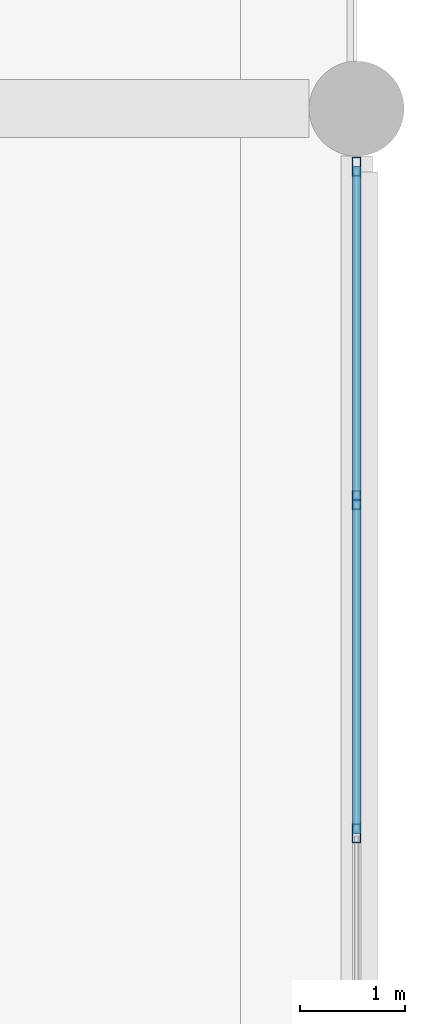
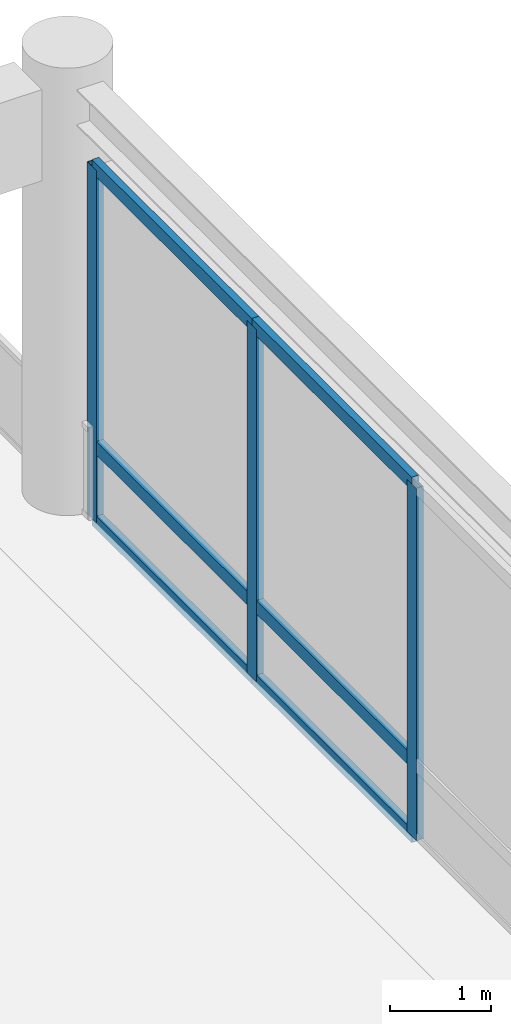
# One storey, part 70 of 117: 9 members, 1 element without a shape of its own.
"""IFC4 building model written with IfcOpenShell, lengths in metres."""

from ifc_helpers import new_model, si_unit, direction, frame, origin, origin_2d, place, context, subcontext, project, spatial, hollow_rectangle, extrude, material, material_profile, profile_set, type_object, element, aggregate, save


model = new_model("IFC4")

# Units and contexts
model_context = context("Model", 3, precision=1e-05, world=origin(), true_north=direction((0.0, 1.0)))
body_context = subcontext(model_context, "Body", "Model", "MODEL_VIEW")
ifc_project = project(units=[si_unit("LENGTHUNIT", "METRE"), si_unit("AREAUNIT", "SQUARE_METRE"), si_unit("VOLUMEUNIT", "CUBIC_METRE"), si_unit("PLANEANGLEUNIT", "RADIAN"), si_unit("MASSUNIT", "GRAM", prefix="KILO")], contexts=[model_context])

# Site, building, storey
site_placement = place(None, origin())
site = spatial("IfcSite", under=ifc_project, at=site_placement, CompositionType="ELEMENT")
building_placement = place(site_placement, origin())
building = spatial("IfcBuilding", under=site, at=building_placement, Name="Linyun Crest Stadium", CompositionType="ELEMENT")
storey_placement = place(building_placement, frame((0.0, 0.0, 6.0)))
storey = spatial("IfcBuildingStorey", under=building, at=storey_placement, Name="L02", CompositionType="ELEMENT", Elevation=6.0)

# Curtain wall, members
ifc_material_1 = material(Name="Verdigris steel and low-E curtain wall assembly", Category="steel")
curtain_wall_type = type_object("IfcCurtainWallType", Name="MCW01", PredefinedType="NOTDEFINED", material=ifc_material_1)
curtain_wall_placement = place(storey_placement, origin())
curtain_wall = element("IfcCurtainWall", 1, at=curtain_wall_placement, inside=storey, type_object=curtain_wall_type, Name="CWR-123", PredefinedType="NOTDEFINED")
ifc_material_2 = material(Name="Verdigris painted steel Q355B mullion", Category="steel")
ifc_material_profile_1 = material_profile(ifc_material_2, hollow_rectangle(XDim=0.080078125, YDim=0.179931640625, WallThickness=0.006103515625, at=origin_2d()), Name="RHS 180x80x6")
ifc_profile_set_1 = profile_set([ifc_material_profile_1], Name="Verdigris painted steel Q355B mullion")
member_type_1 = type_object("IfcMemberType", Name="ML02", PredefinedType="MULLION", material=ifc_profile_set_1)
member_1_placement = place(storey_placement, frame((98.0, 36.5, 0.0), z_axis=(0.0, 0.0, 1.0), x_axis=(-1.0, 0.0, 0.0)))
member_1 = element("IfcMember", 2, at=member_1_placement, type_object=member_type_1, Name="CWR-123 mullion 3", PredefinedType="MULLION", context=body_context, shape_type="SweptSolid", body=[
    extrude(hollow_rectangle(XDim=0.080078125, YDim=0.179931640625, WallThickness=0.006103515625, at=origin_2d()), origin(), (0.0, 0.0, 1.0), 4.25),
])
member_2_placement = place(storey_placement, frame((98.0, 39.662109375, 0.0), z_axis=(0.0, 0.0, 1.0), x_axis=(-1.0, 0.0, 0.0)))
member_2 = element("IfcMember", 3, at=member_2_placement, type_object=member_type_1, Name="CWR-123 mullion 4", PredefinedType="MULLION", context=body_context, shape_type="SweptSolid", body=[
    extrude(hollow_rectangle(XDim=0.080078125, YDim=0.179931640625, WallThickness=0.006103515625, at=origin_2d()), origin(), (0.0, 0.0, 1.0), 4.25),
])
member_3_placement = place(storey_placement, frame((98.0, 42.824951171875, 0.0), z_axis=(0.0, 0.0, 1.0), x_axis=(-1.0, 0.0, 0.0)))
member_3 = element("IfcMember", 4, at=member_3_placement, type_object=member_type_1, Name="CWR-123 mullion 5", PredefinedType="MULLION", context=body_context, shape_type="SweptSolid", body=[
    extrude(hollow_rectangle(XDim=0.080078125, YDim=0.179931640625, WallThickness=0.006103515625, at=origin_2d()), origin(), (0.0, 0.0, 1.0), 4.25),
])
ifc_material_3 = material(Name="Aluminium thermally broken transom", Category="aluminium")
ifc_material_profile_2 = material_profile(ifc_material_3, hollow_rectangle(XDim=0.080078125, YDim=0.159912109375, WallThickness=0.006103515625, at=origin_2d()), Name="RHS 160x80x6")
ifc_profile_set_2 = profile_set([ifc_material_profile_2], Name="Aluminium thermally broken transom")
member_type_2 = type_object("IfcMemberType", Name="TR01", PredefinedType="USERDEFINED", material=ifc_profile_set_2)
member_4_placement = place(storey_placement, frame((98.0, 36.5, 0.0), z_axis=(0.0, 1.0, 0.0), x_axis=(-1.0, 0.0, 0.0)))
member_4 = element("IfcMember", 5, at=member_4_placement, type_object=member_type_2, Name="CWR-123 transom 3.1", ObjectType="TRANSOM", PredefinedType="USERDEFINED", context=body_context, shape_type="SweptSolid", body=[
    extrude(hollow_rectangle(XDim=0.080078125, YDim=0.159912109375, WallThickness=0.006103515625, at=origin_2d()), origin(), (0.0, 0.0, 1.0), 3.162109375),
])
member_5_placement = place(storey_placement, frame((98.0, 36.5, 0.89990234375), z_axis=(0.0, 1.0, 0.0), x_axis=(-1.0, 0.0, 0.0)))
member_5 = element("IfcMember", 6, at=member_5_placement, type_object=member_type_2, Name="CWR-123 transom 3.2", ObjectType="TRANSOM", PredefinedType="USERDEFINED", context=body_context, shape_type="SweptSolid", body=[
    extrude(hollow_rectangle(XDim=0.080078125, YDim=0.159912109375, WallThickness=0.006103515625, at=origin_2d()), origin(), (0.0, 0.0, 1.0), 3.162109375),
])
member_6_placement = place(storey_placement, frame((98.0, 36.5, 4.25), z_axis=(0.0, 1.0, 0.0), x_axis=(-1.0, 0.0, 0.0)))
member_6 = element("IfcMember", 7, at=member_6_placement, type_object=member_type_2, Name="CWR-123 transom 3.3", ObjectType="TRANSOM", PredefinedType="USERDEFINED", context=body_context, shape_type="SweptSolid", body=[
    extrude(hollow_rectangle(XDim=0.080078125, YDim=0.159912109375, WallThickness=0.006103515625, at=origin_2d()), origin(), (0.0, 0.0, 1.0), 3.162109375),
])
member_7_placement = place(storey_placement, frame((98.0, 39.662109375, 0.0), z_axis=(0.0, 1.0, 0.0), x_axis=(-1.0, 0.0, 0.0)))
member_7 = element("IfcMember", 8, at=member_7_placement, type_object=member_type_2, Name="CWR-123 transom 4.1", ObjectType="TRANSOM", PredefinedType="USERDEFINED", context=body_context, shape_type="SweptSolid", body=[
    extrude(hollow_rectangle(XDim=0.080078125, YDim=0.159912109375, WallThickness=0.006103515625, at=origin_2d()), origin(), (0.0, 0.0, 1.0), 3.162841796875),
])
member_8_placement = place(storey_placement, frame((98.0, 39.662109375, 0.89990234375), z_axis=(0.0, 1.0, 0.0), x_axis=(-1.0, 0.0, 0.0)))
member_8 = element("IfcMember", 9, at=member_8_placement, type_object=member_type_2, Name="CWR-123 transom 4.2", ObjectType="TRANSOM", PredefinedType="USERDEFINED", context=body_context, shape_type="SweptSolid", body=[
    extrude(hollow_rectangle(XDim=0.080078125, YDim=0.159912109375, WallThickness=0.006103515625, at=origin_2d()), origin(), (0.0, 0.0, 1.0), 3.162841796875),
])
member_9_placement = place(storey_placement, frame((98.0, 39.662109375, 4.25), z_axis=(0.0, 1.0, 0.0), x_axis=(-1.0, 0.0, 0.0)))
member_9 = element("IfcMember", 10, at=member_9_placement, type_object=member_type_2, Name="CWR-123 transom 4.3", ObjectType="TRANSOM", PredefinedType="USERDEFINED", context=body_context, shape_type="SweptSolid", body=[
    extrude(hollow_rectangle(XDim=0.080078125, YDim=0.159912109375, WallThickness=0.006103515625, at=origin_2d()), origin(), (0.0, 0.0, 1.0), 3.162841796875),
])
aggregate(curtain_wall, [member_1, member_2, member_3, member_4, member_5, member_6, member_7, member_8, member_9])

save(model, "model.ifc")
